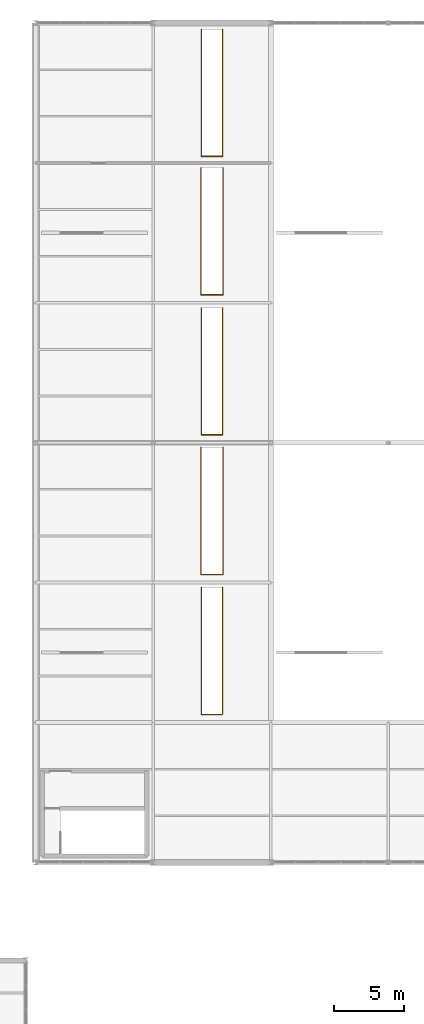
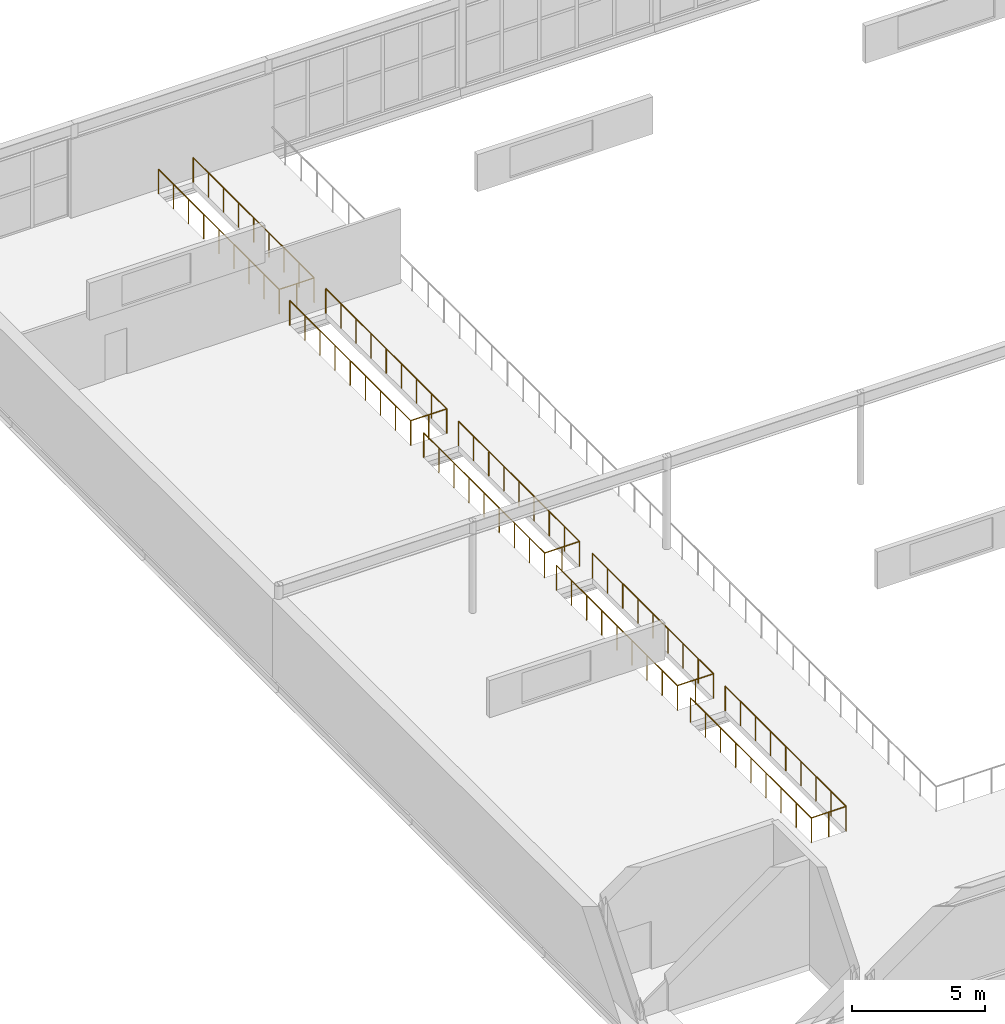
# One storey, part 215 of 218: 5 railings.
"""IFC4 building model written with IfcOpenShell, lengths in metres."""

from ifc_helpers import new_model, si_unit, direction, frame, origin, origin_2d, place, context, subcontext, project, spatial, circle, extrude, material, type_object, element, save


model = new_model("IFC4")

# Units and contexts
model_context = context("Model", 3, precision=1e-05, world=origin(), true_north=direction((0.0, 1.0)))
body_context = subcontext(model_context, "Body", "Model", "MODEL_VIEW")
ifc_project = project(units=[si_unit("LENGTHUNIT", "METRE"), si_unit("AREAUNIT", "SQUARE_METRE"), si_unit("VOLUMEUNIT", "CUBIC_METRE"), si_unit("PLANEANGLEUNIT", "RADIAN"), si_unit("MASSUNIT", "GRAM", prefix="KILO")], contexts=[model_context])

# Site, building, storey
site_placement = place(None, origin())
site = spatial("IfcSite", under=ifc_project, at=site_placement, CompositionType="ELEMENT")
building_placement = place(site_placement, origin())
building = spatial("IfcBuilding", under=site, at=building_placement, Name="Kazenagashi Tramway Depot", CompositionType="ELEMENT")
storey_placement = place(building_placement, frame((0.0, 0.0, 6.0)))
storey = spatial("IfcBuildingStorey", under=building, at=storey_placement, Name="L02", CompositionType="ELEMENT", Elevation=6.0)

# Railings
ifc_material = material(Name="Galvanised Painted Steel Balustrade", Category="steel")
railing_type = type_object("IfcRailingType", Name="GR-01", PredefinedType="GUARDRAIL", material=ifc_material)
railing_1_placement = place(storey_placement, frame((56.645, 89.64, 0.0)))
element("IfcRailing", 1, at=railing_1_placement, inside=storey, type_object=railing_type, Name="Stairwell ST-29 Opening Guardrail", PredefinedType="GUARDRAIL", context=body_context, shape_type="SweptSolid", body=[
    extrude(circle(Radius=0.024, at=origin_2d()), frame((0.0, 0.0, 1.126), z_axis=(0.0, -1.0, 0.0), x_axis=(1.0, 0.0, 0.0)), (0.0, 0.0, 1.0), 9.07),
    extrude(circle(Radius=0.024, at=origin_2d()), frame((0.0, -9.07, 1.126), z_axis=(1.0, 0.0, 0.0), x_axis=(0.0, 1.0, 0.0)), (0.0, 0.0, 1.0), 1.51),
    extrude(circle(Radius=0.024, at=origin_2d()), frame((1.51, -9.07, 1.126), z_axis=(0.0, 1.0, 0.0), x_axis=(-1.0, 0.0, 0.0)), (0.0, 0.0, 1.0), 9.07),
    extrude(circle(Radius=0.021, at=origin_2d()), origin(), (0.0, 0.0, 1.0), 1.102),
    extrude(circle(Radius=0.021, at=origin_2d()), frame((0.0, -1.13375, 0.0)), (0.0, 0.0, 1.0), 1.102),
    extrude(circle(Radius=0.021, at=origin_2d()), frame((0.0, -2.2675, 0.0)), (0.0, 0.0, 1.0), 1.102),
    extrude(circle(Radius=0.021, at=origin_2d()), frame((0.0, -3.40125, 0.0)), (0.0, 0.0, 1.0), 1.102),
    extrude(circle(Radius=0.021, at=origin_2d()), frame((0.0, -4.535, 0.0)), (0.0, 0.0, 1.0), 1.102),
    extrude(circle(Radius=0.021, at=origin_2d()), frame((0.0, -5.66875, 0.0)), (0.0, 0.0, 1.0), 1.102),
    extrude(circle(Radius=0.021, at=origin_2d()), frame((0.0, -6.8025, 0.0)), (0.0, 0.0, 1.0), 1.102),
    extrude(circle(Radius=0.021, at=origin_2d()), frame((0.0, -7.93625, 0.0)), (0.0, 0.0, 1.0), 1.102),
    extrude(circle(Radius=0.021, at=origin_2d()), frame((0.0, -9.07, 0.0)), (0.0, 0.0, 1.0), 1.102),
    extrude(circle(Radius=0.021, at=origin_2d()), frame((0.755, -9.07, 0.0)), (0.0, 0.0, 1.0), 1.102),
    extrude(circle(Radius=0.021, at=origin_2d()), frame((1.51, -9.07, 0.0)), (0.0, 0.0, 1.0), 1.102),
    extrude(circle(Radius=0.021, at=origin_2d()), frame((1.51, -7.93625, 0.0)), (0.0, 0.0, 1.0), 1.102),
    extrude(circle(Radius=0.021, at=origin_2d()), frame((1.51, -6.8025, 0.0)), (0.0, 0.0, 1.0), 1.102),
    extrude(circle(Radius=0.021, at=origin_2d()), frame((1.51, -5.66875, 0.0)), (0.0, 0.0, 1.0), 1.102),
    extrude(circle(Radius=0.021, at=origin_2d()), frame((1.51, -4.535, 0.0)), (0.0, 0.0, 1.0), 1.102),
    extrude(circle(Radius=0.021, at=origin_2d()), frame((1.51, -3.40125, 0.0)), (0.0, 0.0, 1.0), 1.102),
    extrude(circle(Radius=0.021, at=origin_2d()), frame((1.51, -2.2675, 0.0)), (0.0, 0.0, 1.0), 1.102),
    extrude(circle(Radius=0.021, at=origin_2d()), frame((1.51, -1.13375, 0.0)), (0.0, 0.0, 1.0), 1.102),
    extrude(circle(Radius=0.021, at=origin_2d()), frame((1.51, 0.0, 0.0)), (0.0, 0.0, 1.0), 1.102),
])
railing_2_placement = place(storey_placement, frame((56.62, 99.64, 0.0)))
element("IfcRailing", 2, at=railing_2_placement, inside=storey, type_object=railing_type, Name="Stairwell ST-30 Opening Guardrail", PredefinedType="GUARDRAIL", context=body_context, shape_type="SweptSolid", body=[
    extrude(circle(Radius=0.024, at=origin_2d()), frame((0.0, 0.0, 1.126), z_axis=(0.0, -1.0, 0.0), x_axis=(1.0, 0.0, 0.0)), (0.0, 0.0, 1.0), 9.07),
    extrude(circle(Radius=0.024, at=origin_2d()), frame((0.0, -9.07, 1.126), z_axis=(1.0, 0.0, 0.0), x_axis=(0.0, 1.0, 0.0)), (0.0, 0.0, 1.0), 1.56),
    extrude(circle(Radius=0.024, at=origin_2d()), frame((1.56, -9.07, 1.126), z_axis=(0.0, 1.0, 0.0), x_axis=(-1.0, 0.0, 0.0)), (0.0, 0.0, 1.0), 9.07),
    extrude(circle(Radius=0.021, at=origin_2d()), origin(), (0.0, 0.0, 1.0), 1.102),
    extrude(circle(Radius=0.021, at=origin_2d()), frame((0.0, -1.13375, 0.0)), (0.0, 0.0, 1.0), 1.102),
    extrude(circle(Radius=0.021, at=origin_2d()), frame((0.0, -2.2675, 0.0)), (0.0, 0.0, 1.0), 1.102),
    extrude(circle(Radius=0.021, at=origin_2d()), frame((0.0, -3.40125, 0.0)), (0.0, 0.0, 1.0), 1.102),
    extrude(circle(Radius=0.021, at=origin_2d()), frame((0.0, -4.535, 0.0)), (0.0, 0.0, 1.0), 1.102),
    extrude(circle(Radius=0.021, at=origin_2d()), frame((0.0, -5.66875, 0.0)), (0.0, 0.0, 1.0), 1.102),
    extrude(circle(Radius=0.021, at=origin_2d()), frame((0.0, -6.8025, 0.0)), (0.0, 0.0, 1.0), 1.102),
    extrude(circle(Radius=0.021, at=origin_2d()), frame((0.0, -7.93625, 0.0)), (0.0, 0.0, 1.0), 1.102),
    extrude(circle(Radius=0.021, at=origin_2d()), frame((0.0, -9.07, 0.0)), (0.0, 0.0, 1.0), 1.102),
    extrude(circle(Radius=0.021, at=origin_2d()), frame((0.78, -9.07, 0.0)), (0.0, 0.0, 1.0), 1.102),
    extrude(circle(Radius=0.021, at=origin_2d()), frame((1.56, -9.07, 0.0)), (0.0, 0.0, 1.0), 1.102),
    extrude(circle(Radius=0.021, at=origin_2d()), frame((1.56, -7.93625, 0.0)), (0.0, 0.0, 1.0), 1.102),
    extrude(circle(Radius=0.021, at=origin_2d()), frame((1.56, -6.8025, 0.0)), (0.0, 0.0, 1.0), 1.102),
    extrude(circle(Radius=0.021, at=origin_2d()), frame((1.56, -5.66875, 0.0)), (0.0, 0.0, 1.0), 1.102),
    extrude(circle(Radius=0.021, at=origin_2d()), frame((1.56, -4.535, 0.0)), (0.0, 0.0, 1.0), 1.102),
    extrude(circle(Radius=0.021, at=origin_2d()), frame((1.56, -3.40125, 0.0)), (0.0, 0.0, 1.0), 1.102),
    extrude(circle(Radius=0.021, at=origin_2d()), frame((1.56, -2.2675, 0.0)), (0.0, 0.0, 1.0), 1.102),
    extrude(circle(Radius=0.021, at=origin_2d()), frame((1.56, -1.13375, 0.0)), (0.0, 0.0, 1.0), 1.102),
    extrude(circle(Radius=0.021, at=origin_2d()), frame((1.56, 0.0, 0.0)), (0.0, 0.0, 1.0), 1.102),
])
railing_3_placement = place(storey_placement, frame((56.645, 109.64, 0.0)))
element("IfcRailing", 3, at=railing_3_placement, inside=storey, type_object=railing_type, Name="Stairwell ST-31 Opening Guardrail", PredefinedType="GUARDRAIL", context=body_context, shape_type="SweptSolid", body=[
    extrude(circle(Radius=0.024, at=origin_2d()), frame((0.0, 0.0, 1.126), z_axis=(0.0, -1.0, 0.0), x_axis=(1.0, 0.0, 0.0)), (0.0, 0.0, 1.0), 9.07),
    extrude(circle(Radius=0.024, at=origin_2d()), frame((0.0, -9.07, 1.126), z_axis=(1.0, 0.0, 0.0), x_axis=(0.0, 1.0, 0.0)), (0.0, 0.0, 1.0), 1.51),
    extrude(circle(Radius=0.024, at=origin_2d()), frame((1.51, -9.07, 1.126), z_axis=(0.0, 1.0, 0.0), x_axis=(-1.0, 0.0, 0.0)), (0.0, 0.0, 1.0), 9.07),
    extrude(circle(Radius=0.021, at=origin_2d()), origin(), (0.0, 0.0, 1.0), 1.102),
    extrude(circle(Radius=0.021, at=origin_2d()), frame((0.0, -1.13375, 0.0)), (0.0, 0.0, 1.0), 1.102),
    extrude(circle(Radius=0.021, at=origin_2d()), frame((0.0, -2.2675, 0.0)), (0.0, 0.0, 1.0), 1.102),
    extrude(circle(Radius=0.021, at=origin_2d()), frame((0.0, -3.40125, 0.0)), (0.0, 0.0, 1.0), 1.102),
    extrude(circle(Radius=0.021, at=origin_2d()), frame((0.0, -4.535, 0.0)), (0.0, 0.0, 1.0), 1.102),
    extrude(circle(Radius=0.021, at=origin_2d()), frame((0.0, -5.66875, 0.0)), (0.0, 0.0, 1.0), 1.102),
    extrude(circle(Radius=0.021, at=origin_2d()), frame((0.0, -6.8025, 0.0)), (0.0, 0.0, 1.0), 1.102),
    extrude(circle(Radius=0.021, at=origin_2d()), frame((0.0, -7.93625, 0.0)), (0.0, 0.0, 1.0), 1.102),
    extrude(circle(Radius=0.021, at=origin_2d()), frame((0.0, -9.07, 0.0)), (0.0, 0.0, 1.0), 1.102),
    extrude(circle(Radius=0.021, at=origin_2d()), frame((0.755, -9.07, 0.0)), (0.0, 0.0, 1.0), 1.102),
    extrude(circle(Radius=0.021, at=origin_2d()), frame((1.51, -9.07, 0.0)), (0.0, 0.0, 1.0), 1.102),
    extrude(circle(Radius=0.021, at=origin_2d()), frame((1.51, -7.93625, 0.0)), (0.0, 0.0, 1.0), 1.102),
    extrude(circle(Radius=0.021, at=origin_2d()), frame((1.51, -6.8025, 0.0)), (0.0, 0.0, 1.0), 1.102),
    extrude(circle(Radius=0.021, at=origin_2d()), frame((1.51, -5.66875, 0.0)), (0.0, 0.0, 1.0), 1.102),
    extrude(circle(Radius=0.021, at=origin_2d()), frame((1.51, -4.535, 0.0)), (0.0, 0.0, 1.0), 1.102),
    extrude(circle(Radius=0.021, at=origin_2d()), frame((1.51, -3.40125, 0.0)), (0.0, 0.0, 1.0), 1.102),
    extrude(circle(Radius=0.021, at=origin_2d()), frame((1.51, -2.2675, 0.0)), (0.0, 0.0, 1.0), 1.102),
    extrude(circle(Radius=0.021, at=origin_2d()), frame((1.51, -1.13375, 0.0)), (0.0, 0.0, 1.0), 1.102),
    extrude(circle(Radius=0.021, at=origin_2d()), frame((1.51, 0.0, 0.0)), (0.0, 0.0, 1.0), 1.102),
])
railing_4_placement = place(storey_placement, frame((56.62, 119.64, 0.0)))
element("IfcRailing", 4, at=railing_4_placement, inside=storey, type_object=railing_type, Name="Stairwell ST-32 Opening Guardrail", PredefinedType="GUARDRAIL", context=body_context, shape_type="SweptSolid", body=[
    extrude(circle(Radius=0.024, at=origin_2d()), frame((0.0, 0.0, 1.126), z_axis=(0.0, -1.0, 0.0), x_axis=(1.0, 0.0, 0.0)), (0.0, 0.0, 1.0), 9.07),
    extrude(circle(Radius=0.024, at=origin_2d()), frame((0.0, -9.07, 1.126), z_axis=(1.0, 0.0, 0.0), x_axis=(0.0, 1.0, 0.0)), (0.0, 0.0, 1.0), 1.56),
    extrude(circle(Radius=0.024, at=origin_2d()), frame((1.56, -9.07, 1.126), z_axis=(0.0, 1.0, 0.0), x_axis=(-1.0, 0.0, 0.0)), (0.0, 0.0, 1.0), 9.07),
    extrude(circle(Radius=0.021, at=origin_2d()), origin(), (0.0, 0.0, 1.0), 1.102),
    extrude(circle(Radius=0.021, at=origin_2d()), frame((0.0, -1.13375, 0.0)), (0.0, 0.0, 1.0), 1.102),
    extrude(circle(Radius=0.021, at=origin_2d()), frame((0.0, -2.2675, 0.0)), (0.0, 0.0, 1.0), 1.102),
    extrude(circle(Radius=0.021, at=origin_2d()), frame((0.0, -3.40125, 0.0)), (0.0, 0.0, 1.0), 1.102),
    extrude(circle(Radius=0.021, at=origin_2d()), frame((0.0, -4.535, 0.0)), (0.0, 0.0, 1.0), 1.102),
    extrude(circle(Radius=0.021, at=origin_2d()), frame((0.0, -5.66875, 0.0)), (0.0, 0.0, 1.0), 1.102),
    extrude(circle(Radius=0.021, at=origin_2d()), frame((0.0, -6.8025, 0.0)), (0.0, 0.0, 1.0), 1.102),
    extrude(circle(Radius=0.021, at=origin_2d()), frame((0.0, -7.93625, 0.0)), (0.0, 0.0, 1.0), 1.102),
    extrude(circle(Radius=0.021, at=origin_2d()), frame((0.0, -9.07, 0.0)), (0.0, 0.0, 1.0), 1.102),
    extrude(circle(Radius=0.021, at=origin_2d()), frame((0.78, -9.07, 0.0)), (0.0, 0.0, 1.0), 1.102),
    extrude(circle(Radius=0.021, at=origin_2d()), frame((1.56, -9.07, 0.0)), (0.0, 0.0, 1.0), 1.102),
    extrude(circle(Radius=0.021, at=origin_2d()), frame((1.56, -7.93625, 0.0)), (0.0, 0.0, 1.0), 1.102),
    extrude(circle(Radius=0.021, at=origin_2d()), frame((1.56, -6.8025, 0.0)), (0.0, 0.0, 1.0), 1.102),
    extrude(circle(Radius=0.021, at=origin_2d()), frame((1.56, -5.66875, 0.0)), (0.0, 0.0, 1.0), 1.102),
    extrude(circle(Radius=0.021, at=origin_2d()), frame((1.56, -4.535, 0.0)), (0.0, 0.0, 1.0), 1.102),
    extrude(circle(Radius=0.021, at=origin_2d()), frame((1.56, -3.40125, 0.0)), (0.0, 0.0, 1.0), 1.102),
    extrude(circle(Radius=0.021, at=origin_2d()), frame((1.56, -2.2675, 0.0)), (0.0, 0.0, 1.0), 1.102),
    extrude(circle(Radius=0.021, at=origin_2d()), frame((1.56, -1.13375, 0.0)), (0.0, 0.0, 1.0), 1.102),
    extrude(circle(Radius=0.021, at=origin_2d()), frame((1.56, 0.0, 0.0)), (0.0, 0.0, 1.0), 1.102),
])
railing_5_placement = place(storey_placement, frame((56.645, 129.54, 0.0)))
element("IfcRailing", 5, at=railing_5_placement, inside=storey, type_object=railing_type, Name="Stairwell ST-33 Opening Guardrail", PredefinedType="GUARDRAIL", context=body_context, shape_type="SweptSolid", body=[
    extrude(circle(Radius=0.024, at=origin_2d()), frame((0.0, 0.0, 1.126), z_axis=(0.0, -1.0, 0.0), x_axis=(1.0, 0.0, 0.0)), (0.0, 0.0, 1.0), 9.07),
    extrude(circle(Radius=0.024, at=origin_2d()), frame((0.0, -9.07, 1.126), z_axis=(1.0, 0.0, 0.0), x_axis=(0.0, 1.0, 0.0)), (0.0, 0.0, 1.0), 1.51),
    extrude(circle(Radius=0.024, at=origin_2d()), frame((1.51, -9.07, 1.126), z_axis=(0.0, 1.0, 0.0), x_axis=(-1.0, 0.0, 0.0)), (0.0, 0.0, 1.0), 9.07),
    extrude(circle(Radius=0.021, at=origin_2d()), origin(), (0.0, 0.0, 1.0), 1.102),
    extrude(circle(Radius=0.021, at=origin_2d()), frame((0.0, -1.13375, 0.0)), (0.0, 0.0, 1.0), 1.102),
    extrude(circle(Radius=0.021, at=origin_2d()), frame((0.0, -2.2675, 0.0)), (0.0, 0.0, 1.0), 1.102),
    extrude(circle(Radius=0.021, at=origin_2d()), frame((0.0, -3.40125, 0.0)), (0.0, 0.0, 1.0), 1.102),
    extrude(circle(Radius=0.021, at=origin_2d()), frame((0.0, -4.535, 0.0)), (0.0, 0.0, 1.0), 1.102),
    extrude(circle(Radius=0.021, at=origin_2d()), frame((0.0, -5.66875, 0.0)), (0.0, 0.0, 1.0), 1.102),
    extrude(circle(Radius=0.021, at=origin_2d()), frame((0.0, -6.8025, 0.0)), (0.0, 0.0, 1.0), 1.102),
    extrude(circle(Radius=0.021, at=origin_2d()), frame((0.0, -7.93625, 0.0)), (0.0, 0.0, 1.0), 1.102),
    extrude(circle(Radius=0.021, at=origin_2d()), frame((0.0, -9.07, 0.0)), (0.0, 0.0, 1.0), 1.102),
    extrude(circle(Radius=0.021, at=origin_2d()), frame((0.755, -9.07, 0.0)), (0.0, 0.0, 1.0), 1.102),
    extrude(circle(Radius=0.021, at=origin_2d()), frame((1.51, -9.07, 0.0)), (0.0, 0.0, 1.0), 1.102),
    extrude(circle(Radius=0.021, at=origin_2d()), frame((1.51, -7.93625, 0.0)), (0.0, 0.0, 1.0), 1.102),
    extrude(circle(Radius=0.021, at=origin_2d()), frame((1.51, -6.8025, 0.0)), (0.0, 0.0, 1.0), 1.102),
    extrude(circle(Radius=0.021, at=origin_2d()), frame((1.51, -5.66875, 0.0)), (0.0, 0.0, 1.0), 1.102),
    extrude(circle(Radius=0.021, at=origin_2d()), frame((1.51, -4.535, 0.0)), (0.0, 0.0, 1.0), 1.102),
    extrude(circle(Radius=0.021, at=origin_2d()), frame((1.51, -3.40125, 0.0)), (0.0, 0.0, 1.0), 1.102),
    extrude(circle(Radius=0.021, at=origin_2d()), frame((1.51, -2.2675, 0.0)), (0.0, 0.0, 1.0), 1.102),
    extrude(circle(Radius=0.021, at=origin_2d()), frame((1.51, -1.13375, 0.0)), (0.0, 0.0, 1.0), 1.102),
    extrude(circle(Radius=0.021, at=origin_2d()), frame((1.51, 0.0, 0.0)), (0.0, 0.0, 1.0), 1.102),
])

save(model, "model.ifc")
